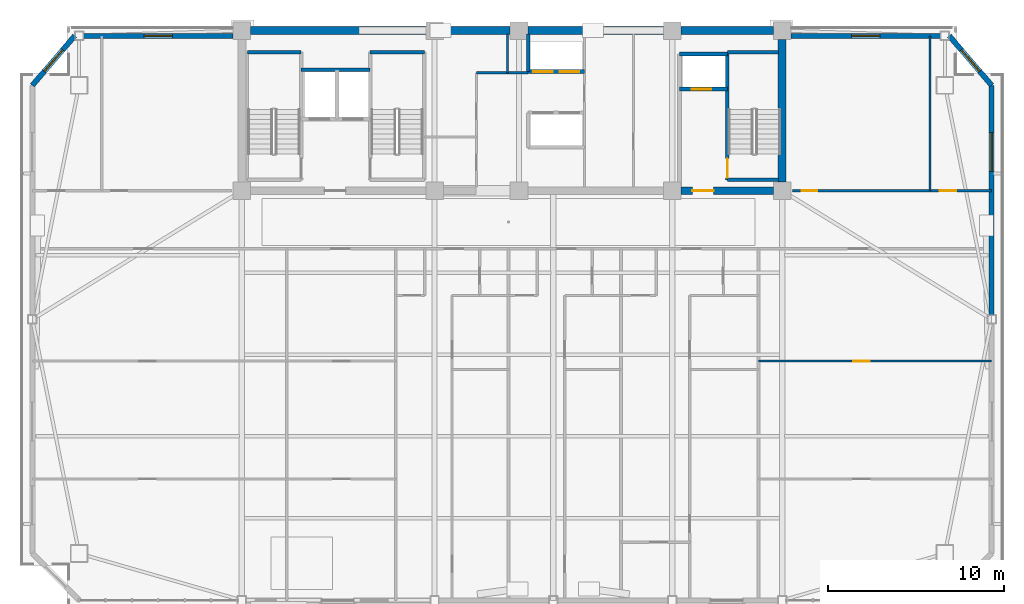
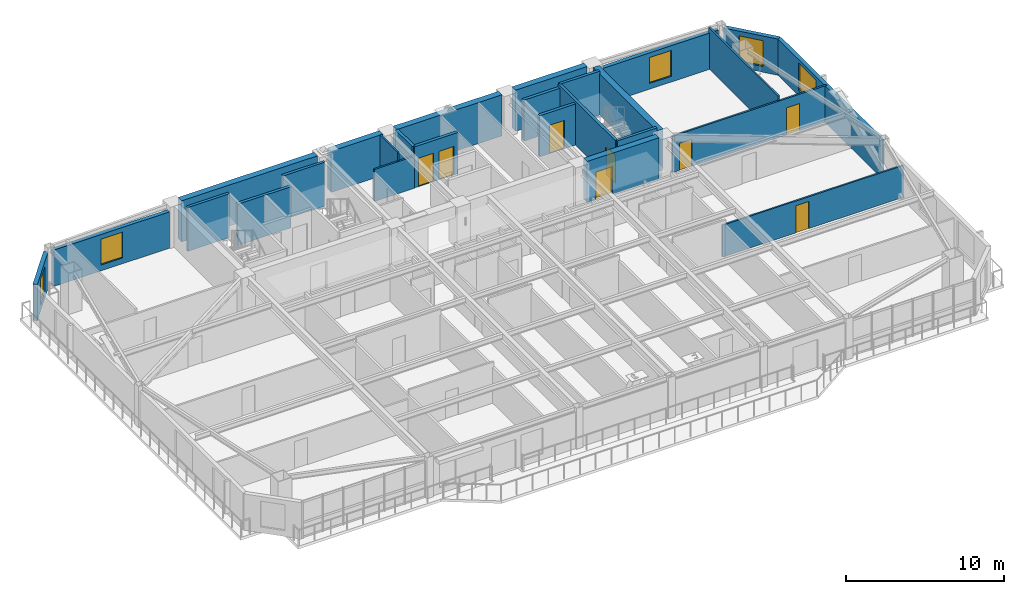
# One storey, part 11 of 19: 26 walls, 8 doors, 5 windows, 13 openings.
"""IFC4 building model written with IfcOpenShell, lengths in metres."""

from ifc_helpers import new_model, si_unit, direction, frame, frame_2d, origin, place, context, subcontext, project, spatial, rectangle, extrude, source, transform, mapped, material, layer, layer_set, type_object, element, fill, save


model = new_model("IFC4")

# Units and contexts
model_context = context("Model", 3, precision=1e-05, world=origin(), true_north=direction((0.0, 1.0)))
body_context = subcontext(model_context, "Body", "Model", "MODEL_VIEW")
ifc_project = project(units=[si_unit("LENGTHUNIT", "METRE"), si_unit("AREAUNIT", "SQUARE_METRE"), si_unit("VOLUMEUNIT", "CUBIC_METRE"), si_unit("PLANEANGLEUNIT", "RADIAN"), si_unit("MASSUNIT", "GRAM", prefix="KILO")], contexts=[model_context])

# Site, building, storey
site_placement = place(None, origin())
site = spatial("IfcSite", under=ifc_project, at=site_placement, CompositionType="ELEMENT")
building_placement = place(site_placement, origin())
building = spatial("IfcBuilding", under=site, at=building_placement, Name="Giltprow Tower", CompositionType="ELEMENT")
storey_placement = place(building_placement, frame((0.0, 0.0, 241.699951171875)))
storey = spatial("IfcBuildingStorey", under=building, at=storey_placement, Name="L61", CompositionType="ELEMENT", Elevation=241.699951171875)

# Wall, opening, window
ifc_material_1 = material(Name="Precast concrete C40", Category="concrete")
ifc_layer_1 = layer(ifc_material_1, 0.300048828125, Name="Precast concrete C40")
ifc_layer_set_1 = layer_set([ifc_layer_1], Name="Precast concrete C40")
wall_type_1 = type_object("IfcWallType", Name="EW-NOTCH-CHAMFER-300", PredefinedType="SOLIDWALL", material=ifc_layer_set_1)
wall_1_placement = place(storey_placement, frame((10.35888671875, 46.25, 0.0), z_axis=(0.0, 0.0, 1.0), x_axis=(-0.651013940872, -0.759065773692, 0.0)))
wall_1 = element("IfcWall", 1, at=wall_1_placement, inside=storey, type_object=wall_type_1, Name="L61 Corner Notch Wall NW", PredefinedType="SOLIDWALL", context=body_context, shape_type="SweptSolid", body=[
    extrude(rectangle(XDim=3.703369140625, YDim=0.300048828125, at=frame_2d((1.8515625, 0.0))), origin(), (0.0, 0.0, 1.0), 2.81494140625),
])
opening_1_placement = place(wall_1_placement, frame((1.052001953125, 0.0, 0.449951171875)))
opening_1 = element("IfcOpeningElement", 2, at=opening_1_placement, cuts=wall_1, Name="Opening WN17", PredefinedType="OPENING", context=body_context, shape_type="SweptSolid", body=[
    extrude(rectangle(XDim=1.60009765625, YDim=2.0, at=frame_2d((0.800048828125, 1.0))), frame((0.0, 0.159912109375, 0.0), z_axis=(0.0, -1.0, 0.0), x_axis=(1.0, 0.0, 0.0)), (0.0, 0.0, 1.0), 0.320068359375),
])
ifc_material_2 = material(Name="Insulated glass", Category="glass")
window_type_1 = type_object("IfcWindowType", Name="WN-COR-1600x2000", PartitioningType="SINGLE_PANEL", PredefinedType="WINDOW", material=ifc_material_2)
shared_shape_1 = source(origin(), body_context, "Body", "SweptSolid", [
    extrude(rectangle(XDim=1.60009765625, YDim=2.0, at=frame_2d((0.800048828125, 1.0))), frame((0.0, 0.030029296875, 0.0), z_axis=(0.0, -1.0, 0.0), x_axis=(1.0, 0.0, 0.0)), (0.0, 0.0, 1.0), 0.06005859375),
])
window_1_placement = place(opening_1_placement, origin())
window_1 = element("IfcWindow", 3, at=window_1_placement, inside=storey, type_object=window_type_1, Name="L61 Corner Notch Window NW", OverallHeight=2.0, OverallWidth=1.60009765625, PartitioningType="SINGLE_PANEL", PredefinedType="WINDOW", context=body_context, shape_type="MappedRepresentation", body=[
    mapped(shared_shape_1, transform((0.0, 0.0, 0.0), x_axis=(1.0, 0.0, 0.0), y_axis=(0.0, 1.0, 0.0), z_axis=(0.0, 0.0, 1.0), scale=1.0)),
])
fill(opening_1, window_1)

wall_2_placement = place(storey_placement, frame((62.451904296875, 43.43896484375, 0.0), z_axis=(0.0, 0.0, 1.0), x_axis=(-0.651013940872, 0.759065773692, 0.0)))
wall_2 = element("IfcWall", 4, at=wall_2_placement, inside=storey, type_object=wall_type_1, Name="L61 Corner Notch Wall NE", PredefinedType="SOLIDWALL", context=body_context, shape_type="SweptSolid", body=[
    extrude(rectangle(XDim=3.703369140625, YDim=0.300048828125, at=frame_2d((1.8515625, 0.0))), origin(), (0.0, 0.0, 1.0), 2.81494140625),
])
opening_2_placement = place(wall_2_placement, frame((1.052001953125, 0.0, 0.449951171875)))
opening_2 = element("IfcOpeningElement", 5, at=opening_2_placement, cuts=wall_2, Name="Opening WN17", PredefinedType="OPENING", context=body_context, shape_type="SweptSolid", body=[
    extrude(rectangle(XDim=1.60009765625, YDim=2.0, at=frame_2d((0.800048828125, 1.0))), frame((0.0, 0.159912109375, 0.0), z_axis=(0.0, -1.0, 0.0), x_axis=(1.0, 0.0, 0.0)), (0.0, 0.0, 1.0), 0.320068359375),
])
window_2_placement = place(opening_2_placement, origin())
window_2 = element("IfcWindow", 6, at=window_2_placement, inside=storey, type_object=window_type_1, Name="L61 Corner Notch Window NE", OverallHeight=2.0, OverallWidth=1.60009765625, PartitioningType="SINGLE_PANEL", PredefinedType="WINDOW", context=body_context, shape_type="MappedRepresentation", body=[
    mapped(shared_shape_1, transform((0.0, 0.0, 0.0), x_axis=(1.0, 0.0, 0.0), y_axis=(0.0, 1.0, 0.0), z_axis=(0.0, 0.0, 1.0), scale=1.0)),
])
fill(opening_2, window_2)

ifc_layer_2 = layer(ifc_material_1, 0.280029296875, Name="Precast concrete C40")
ifc_layer_set_2 = layer_set([ifc_layer_2], Name="Precast concrete C40")
wall_type_2 = type_object("IfcWallType", Name="EW-TOW-BRONZE-280", PredefinedType="SOLIDWALL", material=ifc_layer_set_2)
wall_3_placement = place(storey_placement, frame((62.451904296875, 30.39111328125, 0.0), z_axis=(0.0, 0.0, 1.0), x_axis=(0.0, 1.0, 0.0)))
wall_3 = element("IfcWall", 7, at=wall_3_placement, inside=storey, type_object=wall_type_2, Name="L61 E Wing Masonry Wall 2", PredefinedType="SOLIDWALL", context=body_context, shape_type="SweptSolid", body=[
    extrude(rectangle(XDim=13.0478515625, YDim=0.280029296875, at=frame_2d((6.52392578125, 0.0))), origin(), (0.0, 0.0, 1.0), 2.81494140625),
])
opening_3_placement = place(wall_3_placement, frame((8.1630859375, 0.0, 0.449951171875)))
opening_3 = element("IfcOpeningElement", 8, at=opening_3_placement, cuts=wall_3, Name="Opening WN27", PredefinedType="OPENING", context=body_context, shape_type="SweptSolid", body=[
    extrude(rectangle(XDim=2.199951171875, YDim=2.10009765625, at=frame_2d((1.10009765625, 1.050048828125))), frame((0.0, 0.14990234375, 0.0), z_axis=(0.0, -1.0, 0.0), x_axis=(1.0, 0.0, 0.0)), (0.0, 0.0, 1.0), 0.300048828125),
])
window_type_2 = type_object("IfcWindowType", Name="WN-RES-2200x2100", PartitioningType="TRIPLE_PANEL_VERTICAL", PredefinedType="WINDOW", material=ifc_material_2)
shared_shape_2 = source(origin(), body_context, "Body", "SweptSolid", [
    extrude(rectangle(XDim=2.199951171875, YDim=2.10009765625, at=frame_2d((1.10009765625, 1.050048828125))), frame((0.0, 0.030029296875, 0.0), z_axis=(0.0, -1.0, 0.0), x_axis=(1.0, 0.0, 0.0)), (0.0, 0.0, 1.0), 0.06005859375),
])
window_3_placement = place(opening_3_placement, origin())
window_3 = element("IfcWindow", 9, at=window_3_placement, inside=storey, type_object=window_type_2, Name="L61 E Wing Window 2-1", OverallHeight=2.10009765625, OverallWidth=2.199951171875, PartitioningType="SINGLE_PANEL", PredefinedType="WINDOW", context=body_context, shape_type="MappedRepresentation", body=[
    mapped(shared_shape_2, transform((0.0, 0.0, 0.0), x_axis=(1.0, 0.0, 0.0), y_axis=(0.0, 1.0, 0.0), z_axis=(0.0, 0.0, 1.0), scale=1.0)),
])
fill(opening_3, window_3)

wall_4_placement = place(storey_placement, frame((10.85888671875, 46.25, 0.0), z_axis=(0.0, 0.0, 1.0), x_axis=(1.0, 0.0, 0.0)))
wall_4 = element("IfcWall", 10, at=wall_4_placement, inside=storey, type_object=wall_type_2, Name="L61 North-West Wing Wall", PredefinedType="SOLIDWALL", context=body_context, shape_type="SweptSolid", body=[
    extrude(rectangle(XDim=8.4912109375, YDim=0.280029296875, at=frame_2d((4.24560546875, 0.0))), origin(), (0.0, 0.0, 1.0), 2.81494140625),
])
opening_4_placement = place(wall_4_placement, frame((3.446044921875, 0.0, 0.449951171875)))
opening_4 = element("IfcOpeningElement", 11, at=opening_4_placement, cuts=wall_4, Name="Opening WN17", PredefinedType="OPENING", context=body_context, shape_type="SweptSolid", body=[
    extrude(rectangle(XDim=1.60009765625, YDim=2.0, at=frame_2d((0.800048828125, 1.0))), frame((0.0, 0.14990234375, 0.0), z_axis=(0.0, -1.0, 0.0), x_axis=(1.0, 0.0, 0.0)), (0.0, 0.0, 1.0), 0.300048828125),
])
window_4_placement = place(opening_4_placement, origin())
window_4 = element("IfcWindow", 12, at=window_4_placement, inside=storey, type_object=window_type_1, Name="L61 North-West Window", OverallHeight=2.0, OverallWidth=1.60009765625, PartitioningType="SINGLE_PANEL", PredefinedType="WINDOW", context=body_context, shape_type="MappedRepresentation", body=[
    mapped(shared_shape_1, transform((0.0, 0.0, 0.0), x_axis=(1.0, 0.0, 0.0), y_axis=(0.0, 1.0, 0.0), z_axis=(0.0, 0.0, 1.0), scale=1.0)),
])
fill(opening_4, window_4)

wall_5_placement = place(storey_placement, frame((51.050048828125, 46.25, 0.0), z_axis=(0.0, 0.0, 1.0), x_axis=(1.0, 0.0, 0.0)))
wall_5 = element("IfcWall", 13, at=wall_5_placement, inside=storey, type_object=wall_type_2, Name="L61 North-East Wing Wall", PredefinedType="SOLIDWALL", context=body_context, shape_type="SweptSolid", body=[
    extrude(rectangle(XDim=8.490966796875, YDim=0.280029296875, at=frame_2d((4.24560546875, 0.0))), origin(), (0.0, 0.0, 1.0), 2.81494140625),
])
opening_5_placement = place(wall_5_placement, frame((3.446044921875, 0.0, 0.449951171875)))
opening_5 = element("IfcOpeningElement", 14, at=opening_5_placement, cuts=wall_5, Name="Opening WN17", PredefinedType="OPENING", context=body_context, shape_type="SweptSolid", body=[
    extrude(rectangle(XDim=1.60009765625, YDim=2.0, at=frame_2d((0.800048828125, 1.0))), frame((0.0, 0.14990234375, 0.0), z_axis=(0.0, -1.0, 0.0), x_axis=(1.0, 0.0, 0.0)), (0.0, 0.0, 1.0), 0.300048828125),
])
window_5_placement = place(opening_5_placement, origin())
window_5 = element("IfcWindow", 15, at=window_5_placement, inside=storey, type_object=window_type_1, Name="L61 North-East Window", OverallHeight=2.0, OverallWidth=1.60009765625, PartitioningType="SINGLE_PANEL", PredefinedType="WINDOW", context=body_context, shape_type="MappedRepresentation", body=[
    mapped(shared_shape_1, transform((0.0, 0.0, 0.0), x_axis=(1.0, 0.0, 0.0), y_axis=(0.0, 1.0, 0.0), z_axis=(0.0, 0.0, 1.0), scale=1.0)),
])
fill(opening_5, window_5)

# Wall, opening, door
ifc_material_3 = material(Name="Gypsum stud partition", Category="gypsum")
ifc_layer_3 = layer(ifc_material_3, 0.1201171875, Name="Gypsum stud partition")
ifc_layer_set_3 = layer_set([ifc_layer_3], Name="Gypsum stud partition")
wall_type_3 = type_object("IfcWallType", Name="IW-ROOM-120", PredefinedType="PARTITIONING", material=ifc_layer_set_3)
wall_6_placement = place(storey_placement, frame((49.199951171875, 27.77001953125, 0.0), z_axis=(0.0, 0.0, 1.0), x_axis=(1.0, 0.0, 0.0)))
wall_6 = element("IfcWall", 16, at=wall_6_placement, inside=storey, type_object=wall_type_3, Name="L61 Special Split 2", PredefinedType="PARTITIONING", context=body_context, shape_type="SweptSolid", body=[
    extrude(rectangle(XDim=13.251953125, YDim=0.1201171875, at=frame_2d((6.6259765625, 0.0))), origin(), (0.0, 0.0, 1.0), 2.469970703125),
])
opening_6_placement = place(wall_6_placement, frame((5.386962890625, 0.0, 0.0)))
opening_6 = element("IfcOpeningElement", 17, at=opening_6_placement, cuts=wall_6, Name="Opening ID11", PredefinedType="OPENING", context=body_context, shape_type="SweptSolid", body=[
    extrude(rectangle(XDim=0.949951171875, YDim=2.10009765625, at=frame_2d((0.47509765625, 1.050048828125))), frame((0.0, 0.070068359375, 0.0), z_axis=(0.0, -1.0, 0.0), x_axis=(1.0, 0.0, 0.0)), (0.0, 0.0, 1.0), 0.14013671875),
])
ifc_material_4 = material(Name="Engineered timber", Category="wood")
door_type_1 = type_object("IfcDoorType", Name="DR-ROOM-950", OperationType="SINGLE_SWING_RIGHT", PredefinedType="DOOR", material=ifc_material_4)
shared_shape_3 = source(origin(), body_context, "Body", "SweptSolid", [
    extrude(rectangle(XDim=0.949951171875, YDim=2.10009765625, at=frame_2d((0.47509765625, 1.050048828125))), frame((0.0, 0.02490234375, 0.0), z_axis=(0.0, -1.0, 0.0), x_axis=(1.0, 0.0, 0.0)), (0.0, 0.0, 1.0), 0.050048828125),
])
door_1_placement = place(opening_6_placement, origin())
door_1 = element("IfcDoor", 18, at=door_1_placement, inside=storey, type_object=door_type_1, Name="L61 Portfolio Office 3 Mid Door", OperationType="SINGLE_SWING_LEFT", OverallHeight=2.10009765625, OverallWidth=0.949951171875, PredefinedType="DOOR", context=body_context, shape_type="MappedRepresentation", body=[
    mapped(shared_shape_3, transform((0.0, 0.0, 0.0), x_axis=(1.0, 0.0, 0.0), y_axis=(0.0, 1.0, 0.0), z_axis=(0.0, 0.0, 1.0), scale=1.0)),
])
fill(opening_6, door_1)

# Wall
ifc_material_5 = material(Name="Concrete C40", Category="concrete")
ifc_layer_4 = layer(ifc_material_5, 0.219970703125, Name="Concrete C40")
ifc_layer_set_4 = layer_set([ifc_layer_4], Name="Concrete C40")
wall_type_4 = type_object("IfcWallType", Name="IW-SHAFT-220", PredefinedType="SOLIDWALL", material=ifc_layer_set_4)
wall_7_placement = place(storey_placement, frame((23.219970703125, 44.320068359375, 0.0), z_axis=(0.0, 0.0, 1.0), x_axis=(1.0, 0.0, 0.0)))
element("IfcWall", 19, at=wall_7_placement, inside=storey, type_object=wall_type_4, Name="L61 FFL1-SVL1 Back Shaft Wall", PredefinedType="SOLIDWALL", context=body_context, shape_type="SweptSolid", body=[
    extrude(rectangle(XDim=3.919921875, YDim=0.219970703125, at=frame_2d((1.9599609375, 0.0))), origin(), (0.0, 0.0, 1.0), 3.18505859375),
])

# Wall, opening, door
wall_8_placement = place(storey_placement, frame((44.719970703125, 43.219970703125, 0.0), z_axis=(0.0, 0.0, 1.0), x_axis=(1.0, 0.0, 0.0)))
wall_8 = element("IfcWall", 20, at=wall_8_placement, inside=storey, type_object=wall_type_4, Name="L61 FFL2 Front Shaft Wall", PredefinedType="SOLIDWALL", context=body_context, shape_type="SweptSolid", body=[
    extrude(rectangle(XDim=2.719970703125, YDim=0.219970703125, at=frame_2d((1.35986328125, 0.0))), origin(), (0.0, 0.0, 1.0), 3.18505859375),
])
opening_7_placement = place(wall_8_placement, frame((0.699951171875, 0.0, 0.0)))
opening_7 = element("IfcOpeningElement", 21, at=opening_7_placement, cuts=wall_8, Name="Opening LD-11", PredefinedType="OPENING", context=body_context, shape_type="SweptSolid", body=[
    extrude(rectangle(XDim=1.10009765625, YDim=2.199951171875, at=frame_2d((0.550048828125, 1.10009765625))), frame((0.0, 0.119873046875, 0.0), z_axis=(0.0, -1.0, 0.0), x_axis=(1.0, 0.0, 0.0)), (0.0, 0.0, 1.0), 0.239990234375),
])
ifc_material_6 = material(Name="Stainless steel", Category="steel")
door_type_2 = type_object("IfcDoorType", Name="DR-LIFT-LD1100", OperationType="SLIDING_TO_LEFT", PredefinedType="DOOR", material=ifc_material_6)
shared_shape_4 = source(origin(), body_context, "Body", "SweptSolid", [
    extrude(rectangle(XDim=1.10009765625, YDim=2.199951171875, at=frame_2d((0.550048828125, 1.10009765625))), frame((0.0, 0.02490234375, 0.0), z_axis=(0.0, -1.0, 0.0), x_axis=(1.0, 0.0, 0.0)), (0.0, 0.0, 1.0), 0.050048828125),
])
door_2_placement = place(opening_7_placement, origin())
door_2 = element("IfcDoor", 22, at=door_2_placement, inside=storey, type_object=door_type_2, Name="L61 FFL2 Landing Door", OperationType="SLIDING_TO_LEFT", OverallHeight=2.199951171875, OverallWidth=1.10009765625, PredefinedType="DOOR", context=body_context, shape_type="MappedRepresentation", body=[
    mapped(shared_shape_4, transform((0.0, 0.0, 0.0), x_axis=(1.0, 0.0, 0.0), y_axis=(0.0, 1.0, 0.0), z_axis=(0.0, 0.0, 1.0), scale=1.0)),
])
fill(opening_7, door_2)

# Wall
wall_9_placement = place(storey_placement, frame((44.719970703125, 45.219970703125, 0.0), z_axis=(0.0, 0.0, 1.0), x_axis=(1.0, 0.0, 0.0)))
element("IfcWall", 23, at=wall_9_placement, inside=storey, type_object=wall_type_4, Name="L61 FFL2 Back Shaft Wall", PredefinedType="SOLIDWALL", context=body_context, shape_type="SweptSolid", body=[
    extrude(rectangle(XDim=2.719970703125, YDim=0.219970703125, at=frame_2d((1.35986328125, 0.0))), origin(), (0.0, 0.0, 1.0), 3.18505859375),
])

# Wall, openings, doors
wall_10_placement = place(storey_placement, frame((36.1201171875, 44.219970703125, 0.0), z_axis=(0.0, 0.0, 1.0), x_axis=(1.0, 0.0, 0.0)))
wall_10 = element("IfcWall", 24, at=wall_10_placement, inside=storey, type_object=wall_type_4, Name="L61 High-Rise Lift Shaft Front Wall N", PredefinedType="SOLIDWALL", context=body_context, shape_type="SweptSolid", body=[
    extrude(rectangle(XDim=3.199951171875, YDim=0.219970703125, at=frame_2d((1.60009765625, 0.0))), origin(), (0.0, 0.0, 1.0), 3.18505859375),
])
opening_8_placement = place(wall_10_placement, frame((0.300048828125, 0.0, 0.0)))
opening_8 = element("IfcOpeningElement", 25, at=opening_8_placement, cuts=wall_10, Name="Opening LD-11", PredefinedType="OPENING", context=body_context, shape_type="SweptSolid", body=[
    extrude(rectangle(XDim=1.10009765625, YDim=2.199951171875, at=frame_2d((0.550048828125, 1.10009765625))), frame((0.0, 0.119873046875, 0.0), z_axis=(0.0, -1.0, 0.0), x_axis=(1.0, 0.0, 0.0)), (0.0, 0.0, 1.0), 0.239990234375),
])
opening_9_placement = place(wall_10_placement, frame((1.7900390625, 0.0, 0.0)))
opening_9 = element("IfcOpeningElement", 26, at=opening_9_placement, cuts=wall_10, Name="Opening LD-11", PredefinedType="OPENING", context=body_context, shape_type="SweptSolid", body=[
    extrude(rectangle(XDim=1.10009765625, YDim=2.199951171875, at=frame_2d((0.550048828125, 1.10009765625))), frame((0.0, 0.119873046875, 0.0), z_axis=(0.0, -1.0, 0.0), x_axis=(1.0, 0.0, 0.0)), (0.0, 0.0, 1.0), 0.239990234375),
])
door_3_placement = place(opening_8_placement, origin())
door_3 = element("IfcDoor", 27, at=door_3_placement, inside=storey, type_object=door_type_2, Name="L61 PL-H1 Landing Door", OperationType="SLIDING_TO_LEFT", OverallHeight=2.199951171875, OverallWidth=1.10009765625, PredefinedType="DOOR", context=body_context, shape_type="MappedRepresentation", body=[
    mapped(shared_shape_4, transform((0.0, 0.0, 0.0), x_axis=(1.0, 0.0, 0.0), y_axis=(0.0, 1.0, 0.0), z_axis=(0.0, 0.0, 1.0), scale=1.0)),
])
fill(opening_8, door_3)
door_4_placement = place(opening_9_placement, origin())
door_4 = element("IfcDoor", 28, at=door_4_placement, inside=storey, type_object=door_type_2, Name="L61 PL-H2 Landing Door", OperationType="SLIDING_TO_LEFT", OverallHeight=2.199951171875, OverallWidth=1.10009765625, PredefinedType="DOOR", context=body_context, shape_type="MappedRepresentation", body=[
    mapped(shared_shape_4, transform((0.0, 0.0, 0.0), x_axis=(1.0, 0.0, 0.0), y_axis=(0.0, 1.0, 0.0), z_axis=(0.0, 0.0, 1.0), scale=1.0)),
])
fill(opening_9, door_4)

# Walls
wall_11_placement = place(storey_placement, frame((36.1201171875, 44.219970703125, 0.0), z_axis=(0.0, 0.0, 1.0), x_axis=(0.0, 1.0, 0.0)))
element("IfcWall", 29, at=wall_11_placement, inside=storey, type_object=wall_type_4, Name="L61 High-Rise North Lift West Closure", PredefinedType="SOLIDWALL", context=body_context, shape_type="SweptSolid", body=[
    extrude(rectangle(XDim=2.125, YDim=0.219970703125, at=frame_2d((1.0625, 0.0))), origin(), (0.0, 0.0, 1.0), 3.18505859375),
])
ifc_layer_5 = layer(ifc_material_5, 0.199951171875, Name="Concrete C40")
ifc_layer_set_5 = layer_set([ifc_layer_5], Name="Concrete C40")
wall_type_5 = type_object("IfcWallType", Name="IW-STAIR-200", PredefinedType="SOLIDWALL", material=ifc_layer_set_5)
wall_12_placement = place(storey_placement, frame((20.169921875, 45.320068359375, 0.0), z_axis=(0.0, 0.0, 1.0), x_axis=(1.0, 0.0, 0.0)))
element("IfcWall", 30, at=wall_12_placement, inside=storey, type_object=wall_type_5, Name="L61 Stair ST-1 North Bearing Wall", PredefinedType="SOLIDWALL", context=body_context, shape_type="SweptSolid", body=[
    extrude(rectangle(XDim=3.050048828125, YDim=0.199951171875, at=frame_2d((1.52490234375, 0.0))), origin(), (0.0, 0.0, 1.0), 3.400146484375),
])
wall_13_placement = place(storey_placement, frame((27.139892578125, 45.320068359375, 0.0), z_axis=(0.0, 0.0, 1.0), x_axis=(1.0, 0.0, 0.0)))
element("IfcWall", 31, at=wall_13_placement, inside=storey, type_object=wall_type_5, Name="L61 Stair ST-2 North Bearing Wall", PredefinedType="SOLIDWALL", context=body_context, shape_type="SweptSolid", body=[
    extrude(rectangle(XDim=3.080078125, YDim=0.199951171875, at=frame_2d((1.5400390625, 0.0))), origin(), (0.0, 0.0, 1.0), 3.400146484375),
])

# Wall, opening, door
wall_14_placement = place(storey_placement, frame((47.43994140625, 38.070068359375, 0.0), z_axis=(0.0, 0.0, 1.0), x_axis=(0.0, 1.0, 0.0)))
wall_14 = element("IfcWall", 32, at=wall_14_placement, inside=storey, type_object=wall_type_5, Name="L61 Stair ST-3 West Bearing Wall", PredefinedType="SOLIDWALL", context=body_context, shape_type="SweptSolid", body=[
    extrude(rectangle(XDim=7.25, YDim=0.199951171875, at=frame_2d((3.625, 0.0))), origin(), (0.0, 0.0, 1.0), 3.400146484375),
])
opening_10_placement = place(wall_14_placement, frame((0.110107421875, 0.0, 0.0)))
opening_10 = element("IfcOpeningElement", 33, at=opening_10_placement, cuts=wall_14, Name="Opening ID33", PredefinedType="OPENING", context=body_context, shape_type="SweptSolid", body=[
    extrude(rectangle(XDim=1.10009765625, YDim=2.14990234375, at=frame_2d((0.550048828125, 1.074951171875))), frame((0.0, 0.10986328125, 0.0), z_axis=(0.0, -1.0, 0.0), x_axis=(1.0, 0.0, 0.0)), (0.0, 0.0, 1.0), 0.219970703125),
])
ifc_material_7 = material(Name="Steel fire leaf", Category="steel")
door_type_3 = type_object("IfcDoorType", Name="DR-STAIR-1100", OperationType="SINGLE_SWING_LEFT", PredefinedType="DOOR", material=ifc_material_7)
shared_shape_5 = source(origin(), body_context, "Body", "SweptSolid", [
    extrude(rectangle(XDim=1.10009765625, YDim=2.14990234375, at=frame_2d((0.550048828125, 1.074951171875))), frame((0.0, 0.02490234375, 0.0), z_axis=(0.0, -1.0, 0.0), x_axis=(1.0, 0.0, 0.0)), (0.0, 0.0, 1.0), 0.050048828125),
])
door_5_placement = place(opening_10_placement, origin())
door_5 = element("IfcDoor", 34, at=door_5_placement, inside=storey, type_object=door_type_3, Name="L61 Stair ST-3 Fire Door", OperationType="SINGLE_SWING_LEFT", OverallHeight=2.14990234375, OverallWidth=1.10009765625, PredefinedType="DOOR", context=body_context, shape_type="MappedRepresentation", body=[
    mapped(shared_shape_5, transform((0.0, 0.0, 0.0), x_axis=(1.0, 0.0, 0.0), y_axis=(0.0, 1.0, 0.0), z_axis=(0.0, 0.0, 1.0), scale=1.0)),
])
fill(opening_10, door_5)

# Walls
for number, where, z_axis, x_axis, name in (
    (35, (47.43994140625, 45.320068359375, 0.0), (0.0, 0.0, 1.0), (1.0, 0.0, 0.0), "L61 Stair ST-3 North Bearing Wall"),
    (36, (47.43994140625, 38.070068359375, 0.0), (0.0, 0.0, 1.0), (1.0, 0.0, 0.0), "L61 Stair ST-3 South Bearing Wall"),
):
    element("IfcWall", number, at=place(storey_placement, frame(where, z_axis=z_axis, x_axis=x_axis)), inside=storey, type_object=wall_type_5, Name=name, PredefinedType="SOLIDWALL", context=body_context, shape_type="SweptSolid", body=[
        extrude(rectangle(XDim=2.905029296875, YDim=0.199951171875, at=frame_2d((1.45263671875, 0.0))), origin(), (0.0, 0.0, 1.0), 3.400146484375),
    ])
ifc_material_8 = material(Name="Concrete C30", Category="concrete")
ifc_layer_6 = layer(ifc_material_8, 0.1298828125, Name="Concrete C30")
ifc_layer_set_6 = layer_set([ifc_layer_6], Name="Concrete C30")
wall_type_6 = type_object("IfcWallType", Name="IW-WET-130", PredefinedType="PARTITIONING", material=ifc_layer_set_6)
wall_15_placement = place(storey_placement, frame((34.949951171875, 44.14990234375, 0.0), z_axis=(0.0, 0.0, 1.0), x_axis=(0.0, 1.0, 0.0)))
element("IfcWall", 37, at=wall_15_placement, inside=storey, type_object=wall_type_6, Name="L61 Reclaimed West Pocket Wall E", PredefinedType="PARTITIONING", context=body_context, shape_type="SweptSolid", body=[
    extrude(rectangle(XDim=2.195068359375, YDim=0.1298828125, at=frame_2d((1.09765625, 0.0))), origin(), (0.0, 0.0, 1.0), 3.18505859375),
])
wall_16_placement = place(storey_placement, frame((33.179931640625, 44.14990234375, 0.0), z_axis=(0.0, 0.0, 1.0), x_axis=(1.0, 0.0, 0.0)))
element("IfcWall", 38, at=wall_16_placement, inside=storey, type_object=wall_type_6, Name="L61 Reclaimed West Pocket Wall S", PredefinedType="PARTITIONING", context=body_context, shape_type="SweptSolid", body=[
    extrude(rectangle(XDim=2.940185546875, YDim=0.1298828125, at=frame_2d((1.47021484375, 0.0))), origin(), (0.0, 0.0, 1.0), 2.469970703125),
])

# Wall, openings, doors
wall_17_placement = place(storey_placement, frame((51.14990234375, 37.449951171875, 0.0), z_axis=(0.0, 0.0, 1.0), x_axis=(1.0, 0.0, 0.0)))
wall_17 = element("IfcWall", 39, at=wall_17_placement, inside=storey, type_object=wall_type_6, Name="L61 NE Wing South Wall", PredefinedType="PARTITIONING", context=body_context, shape_type="SweptSolid", body=[
    extrude(rectangle(XDim=11.302001953125, YDim=0.1298828125, at=frame_2d((5.65087890625, 0.0))), origin(), (0.0, 0.0, 1.0), 2.820068359375),
])
opening_11_placement = place(wall_17_placement, frame((0.5, 0.0, 0.0)))
opening_11 = element("IfcOpeningElement", 40, at=opening_11_placement, cuts=wall_17, Name="Opening ID15", PredefinedType="OPENING", context=body_context, shape_type="SweptSolid", body=[
    extrude(rectangle(XDim=0.89990234375, YDim=2.10009765625, at=frame_2d((0.449951171875, 1.050048828125))), frame((0.0, 0.074951171875, 0.0), z_axis=(0.0, -1.0, 0.0), x_axis=(1.0, 0.0, 0.0)), (0.0, 0.0, 1.0), 0.14990234375),
])
opening_12_placement = place(wall_17_placement, frame((8.35107421875, 0.0, 0.0)))
opening_12 = element("IfcOpeningElement", 41, at=opening_12_placement, cuts=wall_17, Name="Opening ID11", PredefinedType="OPENING", context=body_context, shape_type="SweptSolid", body=[
    extrude(rectangle(XDim=0.949951171875, YDim=2.10009765625, at=frame_2d((0.47509765625, 1.050048828125))), frame((0.0, 0.074951171875, 0.0), z_axis=(0.0, -1.0, 0.0), x_axis=(1.0, 0.0, 0.0)), (0.0, 0.0, 1.0), 0.14990234375),
])
door_type_4 = type_object("IfcDoorType", Name="DR-WC-900", OperationType="SINGLE_SWING_LEFT", PredefinedType="DOOR", material=ifc_material_4)
shared_shape_6 = source(origin(), body_context, "Body", "SweptSolid", [
    extrude(rectangle(XDim=0.89990234375, YDim=2.10009765625, at=frame_2d((0.449951171875, 1.050048828125))), frame((0.0, 0.02490234375, 0.0), z_axis=(0.0, -1.0, 0.0), x_axis=(1.0, 0.0, 0.0)), (0.0, 0.0, 1.0), 0.050048828125),
])
door_6_placement = place(opening_11_placement, origin())
door_6 = element("IfcDoor", 42, at=door_6_placement, inside=storey, type_object=door_type_4, Name="L61 East Wing Washroom Door", OperationType="SINGLE_SWING_RIGHT", OverallHeight=2.10009765625, OverallWidth=0.89990234375, PredefinedType="DOOR", context=body_context, shape_type="MappedRepresentation", body=[
    mapped(shared_shape_6, transform((0.0, 0.0, 0.0), x_axis=(1.0, 0.0, 0.0), y_axis=(0.0, 1.0, 0.0), z_axis=(0.0, 0.0, 1.0), scale=1.0)),
])
fill(opening_11, door_6)
door_7_placement = place(opening_12_placement, origin())
door_7 = element("IfcDoor", 43, at=door_7_placement, inside=storey, type_object=door_type_1, Name="L61 Residents Reading Lounge Door", OperationType="SINGLE_SWING_RIGHT", OverallHeight=2.10009765625, OverallWidth=0.949951171875, PredefinedType="DOOR", context=body_context, shape_type="MappedRepresentation", body=[
    mapped(shared_shape_3, transform((0.0, 0.0, 0.0), x_axis=(1.0, 0.0, 0.0), y_axis=(0.0, 1.0, 0.0), z_axis=(0.0, 0.0, 1.0), scale=1.0)),
])
fill(opening_12, door_7)

# Walls
wall_18_placement = place(storey_placement, frame((58.950927734375, 37.449951171875, 0.0), z_axis=(0.0, 0.0, 1.0), x_axis=(0.0, 1.0, 0.0)))
element("IfcWall", 44, at=wall_18_placement, inside=storey, type_object=wall_type_6, Name="L61 NE Wing Divider", PredefinedType="PARTITIONING", context=body_context, shape_type="SweptSolid", body=[
    extrude(rectangle(XDim=8.800048828125, YDim=0.1298828125, at=frame_2d((4.39990234375, 0.0))), origin(), (0.0, 0.0, 1.0), 3.18505859375),
])
ifc_material_9 = material(Name="Concrete C50", Category="concrete")
ifc_layer_7 = layer(ifc_material_9, 0.449951171875, Name="Concrete C50")
ifc_layer_set_7 = layer_set([ifc_layer_7], Name="Concrete C50")
wall_type_7 = type_object("IfcWallType", Name="SW-EXT-450-C50", PredefinedType="SHEAR", material=ifc_layer_set_7)
wall_19_placement = place(storey_placement, frame((20.35009765625, 46.550048828125, 0.0), z_axis=(0.0, 0.0, 1.0), x_axis=(1.0, 0.0, 0.0)))
element("IfcWall", 45, at=wall_19_placement, inside=storey, type_object=wall_type_7, Name="L61 North Rear Core Shear Wall 1", PredefinedType="SHEAR", context=body_context, shape_type="SweptSolid", body=[
    extrude(rectangle(XDim=9.949951171875, YDim=0.449951171875, at=frame_2d((4.97509765625, 0.0))), origin(), (0.0, 0.0, 1.0), 3.18505859375),
])
wall_20_placement = place(storey_placement, frame((31.300048828125, 46.550048828125, 0.0), z_axis=(0.0, 0.0, 1.0), x_axis=(1.0, 0.0, 0.0)))
element("IfcWall", 46, at=wall_20_placement, inside=storey, type_object=wall_type_7, Name="L61 North Rear Core Shear Wall 2", PredefinedType="SHEAR", context=body_context, shape_type="SweptSolid", body=[
    extrude(rectangle(XDim=3.800048828125, YDim=0.449951171875, at=frame_2d((1.89990234375, 0.0))), origin(), (0.0, 0.0, 1.0), 3.18505859375),
])
wall_21_placement = place(storey_placement, frame((36.10009765625, 46.550048828125, 0.0), z_axis=(0.0, 0.0, 1.0), x_axis=(1.0, 0.0, 0.0)))
element("IfcWall", 47, at=wall_21_placement, inside=storey, type_object=wall_type_7, Name="L61 North Rear Core Shear Wall 3", PredefinedType="SHEAR", context=body_context, shape_type="SweptSolid", body=[
    extrude(rectangle(XDim=7.699951171875, YDim=0.449951171875, at=frame_2d((3.85009765625, 0.0))), origin(), (0.0, 0.0, 1.0), 3.18505859375),
])
wall_22_placement = place(storey_placement, frame((44.800048828125, 46.550048828125, 0.0), z_axis=(0.0, 0.0, 1.0), x_axis=(1.0, 0.0, 0.0)))
element("IfcWall", 48, at=wall_22_placement, inside=storey, type_object=wall_type_7, Name="L61 North Rear Core Shear Wall 4", PredefinedType="SHEAR", context=body_context, shape_type="SweptSolid", body=[
    extrude(rectangle(XDim=5.25, YDim=0.449951171875, at=frame_2d((2.625, 0.0))), origin(), (0.0, 0.0, 1.0), 3.18505859375),
])

# Wall, opening, door
ifc_layer_8 = layer(ifc_material_9, 0.449951171875, Name="Concrete C50")
ifc_layer_set_8 = layer_set([ifc_layer_8], Name="Concrete C50")
wall_type_8 = type_object("IfcWallType", Name="SW-INT-450-C50", PredefinedType="SHEAR", material=ifc_layer_set_8)
wall_23_placement = place(storey_placement, frame((44.800048828125, 37.449951171875, 0.0), z_axis=(0.0, 0.0, 1.0), x_axis=(1.0, 0.0, 0.0)))
wall_23 = element("IfcWall", 49, at=wall_23_placement, inside=storey, type_object=wall_type_8, Name="L61 South Rear Core Shear Wall East", PredefinedType="SHEAR", context=body_context, shape_type="SweptSolid", body=[
    extrude(rectangle(XDim=5.25, YDim=0.449951171875, at=frame_2d((2.625, 0.0))), origin(), (0.0, 0.0, 1.0), 3.18505859375),
])
opening_13_placement = place(wall_23_placement, frame((0.64990234375, 0.0, 0.0)))
opening_13 = element("IfcOpeningElement", 50, at=opening_13_placement, cuts=wall_23, Name="Opening ID19", PredefinedType="OPENING", context=body_context, shape_type="SweptSolid", body=[
    extrude(rectangle(XDim=1.199951171875, YDim=2.14990234375, at=frame_2d((0.60009765625, 1.074951171875))), frame((0.0, 0.23486328125, 0.0), z_axis=(0.0, -1.0, 0.0), x_axis=(1.0, 0.0, 0.0)), (0.0, 0.0, 1.0), 0.469970703125),
])
door_type_5 = type_object("IfcDoorType", Name="DR-FFLOBBY-1200", OperationType="SINGLE_SWING_RIGHT", PredefinedType="DOOR", material=ifc_material_7)
shared_shape_7 = source(origin(), body_context, "Body", "SweptSolid", [
    extrude(rectangle(XDim=1.199951171875, YDim=2.14990234375, at=frame_2d((0.60009765625, 1.074951171875))), frame((0.0, 0.02490234375, 0.0), z_axis=(0.0, -1.0, 0.0), x_axis=(1.0, 0.0, 0.0)), (0.0, 0.0, 1.0), 0.050048828125),
])
door_8_placement = place(opening_13_placement, origin())
door_8 = element("IfcDoor", 51, at=door_8_placement, inside=storey, type_object=door_type_5, Name="L61 East Firefighting Lobby Entry Door", OperationType="SINGLE_SWING_RIGHT", OverallHeight=2.14990234375, OverallWidth=1.199951171875, PredefinedType="DOOR", context=body_context, shape_type="MappedRepresentation", body=[
    mapped(shared_shape_7, transform((0.0, 0.0, 0.0), x_axis=(1.0, 0.0, 0.0), y_axis=(0.0, 1.0, 0.0), z_axis=(0.0, 0.0, 1.0), scale=1.0)),
])
fill(opening_13, door_8)

# Wall
wall_24_placement = place(storey_placement, frame((50.550048828125, 37.949951171875, 0.0), z_axis=(0.0, 0.0, 1.0), x_axis=(0.0, 1.0, 0.0)))
element("IfcWall", 52, at=wall_24_placement, inside=storey, type_object=wall_type_8, Name="L61 E Rear Core Shear Wall", PredefinedType="SHEAR", context=body_context, shape_type="SweptSolid", body=[
    extrude(rectangle(XDim=8.10009765625, YDim=0.449951171875, at=frame_2d((4.050048828125, 0.0))), origin(), (0.0, 0.0, 1.0), 3.18505859375),
])

save(model, "model.ifc")
